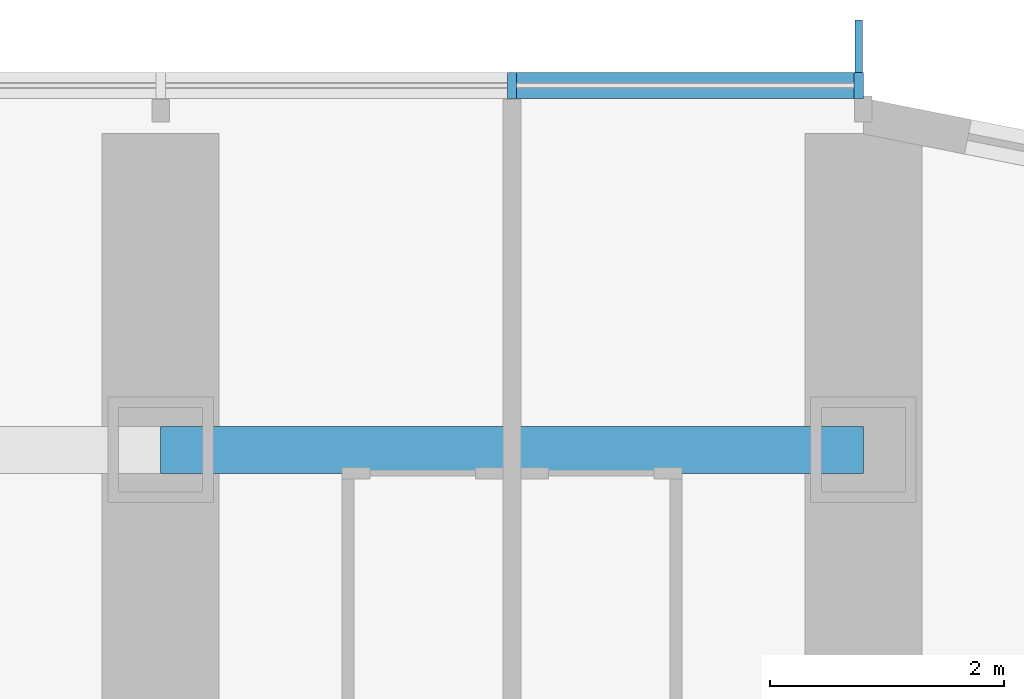
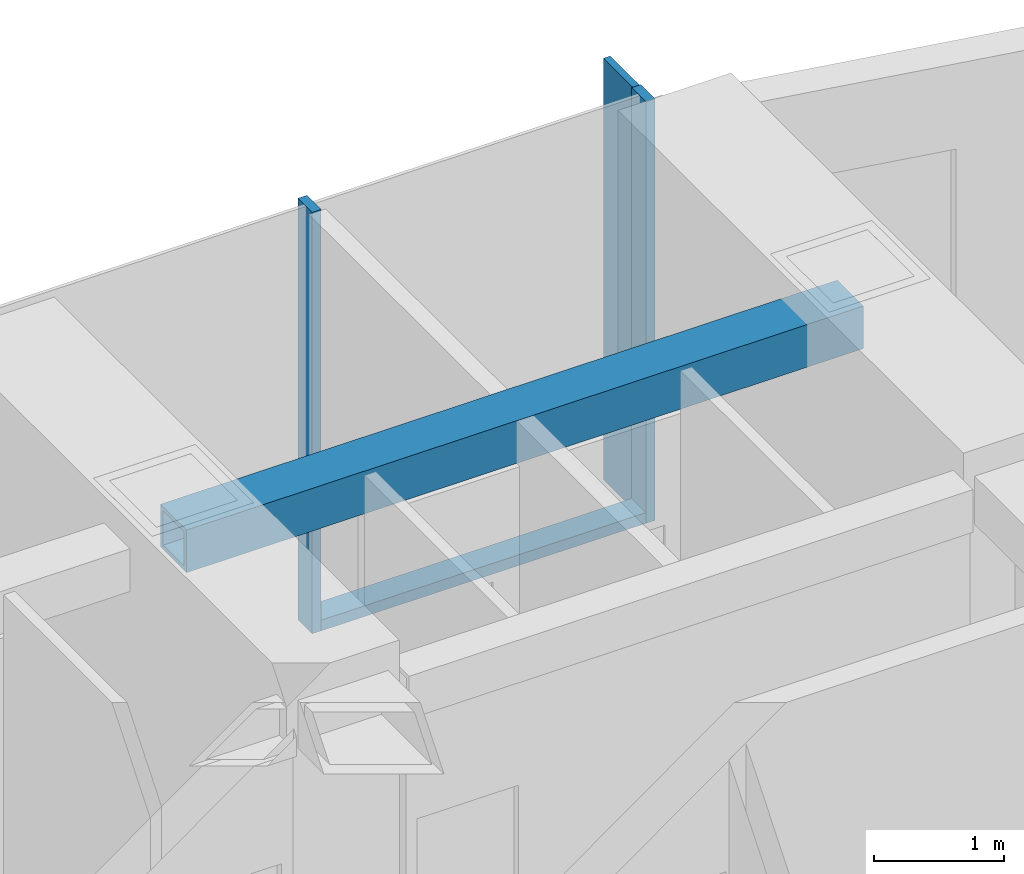
# One storey, part 9 of 28: 4 members, 1 beam, 1 element without a shape of its own.
"""IFC4 building model written with IfcOpenShell, lengths in metres."""

from ifc_helpers import new_model, si_unit, direction, frame, origin, origin_2d, place, context, subcontext, project, spatial, rectangle, hollow_rectangle, extrude, material, material_profile, profile_set, type_object, element, aggregate, save


model = new_model("IFC4")

# Units and contexts
model_context = context("Model", 3, precision=1e-05, world=origin(), true_north=direction((0.0, 1.0)))
body_context = subcontext(model_context, "Body", "Model", "MODEL_VIEW")
ifc_project = project(units=[si_unit("LENGTHUNIT", "METRE"), si_unit("AREAUNIT", "SQUARE_METRE"), si_unit("VOLUMEUNIT", "CUBIC_METRE"), si_unit("PLANEANGLEUNIT", "RADIAN"), si_unit("MASSUNIT", "GRAM", prefix="KILO")], contexts=[model_context])

# Site, building, storey
site_placement = place(None, origin())
site = spatial("IfcSite", under=ifc_project, at=site_placement, CompositionType="ELEMENT")
building_placement = place(site_placement, origin())
building = spatial("IfcBuilding", under=site, at=building_placement, Name="Orbita Commons", CompositionType="ELEMENT")
storey_placement = place(building_placement, frame((0.0, 0.0, 38.949951171875)))
storey = spatial("IfcBuildingStorey", under=building, at=storey_placement, Name="L09", CompositionType="ELEMENT", Elevation=38.949951171875)

# Curtain wall, members
ifc_material_1 = material(Name="Anodised aluminium frame, pale silver", Category="aluminium")
curtain_wall_type = type_object("IfcCurtainWallType", Name="Unitised curtain wall CW-T, vision and spandrel", PredefinedType="NOTDEFINED", material=ifc_material_1)
curtain_wall_placement = place(storey_placement, origin())
curtain_wall = element("IfcCurtainWall", 1, at=curtain_wall_placement, inside=storey, type_object=curtain_wall_type, Name="Curtain wall north L09", PredefinedType="NOTDEFINED")
ifc_material_2 = material(Name="Anodised aluminium, pale silver", Category="aluminium")
ifc_material_profile_1 = material_profile(ifc_material_2, rectangle(XDim=0.080078125, YDim=0.219970703125, at=origin_2d()), Name="AL 80x220")
ifc_profile_set_1 = profile_set([ifc_material_profile_1], Name="Anodised aluminium, pale silver")
member_type_1 = type_object("IfcMemberType", Name="Curtain wall mullion 80x220", PredefinedType="MULLION", material=ifc_profile_set_1)
member_1_placement = place(storey_placement, frame((71.9599609375, 56.7099609375, -0.449951171875), z_axis=(0.0, 0.0, 1.0), x_axis=(-1.0, 0.0, 0.0)))
member_1 = element("IfcMember", 2, at=member_1_placement, type_object=member_type_1, Name="Mullion 1 CW-L09-N", PredefinedType="MULLION", context=body_context, shape_type="SweptSolid", body=[
    extrude(rectangle(XDim=0.080078125, YDim=0.219970703125, at=origin_2d()), origin(), (0.0, 0.0, 1.0), 3.949951171875),
])
member_2_placement = place(storey_placement, frame((69.0, 56.7099609375, -0.449951171875), z_axis=(0.0, 0.0, 1.0), x_axis=(-1.0, 0.0, 0.0)))
member_2 = element("IfcMember", 3, at=member_2_placement, type_object=member_type_1, Name="Mullion 2 CW-L09-N", PredefinedType="MULLION", context=body_context, shape_type="SweptSolid", body=[
    extrude(rectangle(XDim=0.080078125, YDim=0.219970703125, at=origin_2d()), origin(), (0.0, 0.0, 1.0), 3.949951171875),
])
ifc_material_3 = material(Name="Anodised aluminium, pale silver", Category="aluminium")
ifc_material_profile_2 = material_profile(ifc_material_3, rectangle(XDim=0.219970703125, YDim=0.10009765625, at=origin_2d()), Name="AL 220x100")
ifc_profile_set_2 = profile_set([ifc_material_profile_2], Name="Anodised aluminium, pale silver")
member_type_2 = type_object("IfcMemberType", Name="Curtain wall stack transom 220x100", PredefinedType="USERDEFINED", material=ifc_profile_set_2)
member_3_placement = place(storey_placement, frame((71.919921875, 56.7099609375, -0.39990234375), z_axis=(-1.0, 0.0, 0.0), x_axis=(0.0, -1.0, 0.0)))
member_3 = element("IfcMember", 4, at=member_3_placement, type_object=member_type_2, Name="Transom 1.1 CW-L09-N", ObjectType="TRANSOM", PredefinedType="USERDEFINED", context=body_context, shape_type="SweptSolid", body=[
    extrude(rectangle(XDim=0.219970703125, YDim=0.10009765625, at=origin_2d()), origin(), (0.0, 0.0, 1.0), 2.8798828125),
])

# Beam
ifc_material_4 = material(Name="Steel ASTM A572 Gr 50 welded plate", Category="steel")
ifc_material_profile_3 = material_profile(ifc_material_4, hollow_rectangle(XDim=0.39990234375, YDim=0.39990234375, WallThickness=0.0400390625, at=origin_2d()), Name="BOX 400x400x40")
ifc_profile_set_3 = profile_set([ifc_material_profile_3], Name="Steel ASTM A572 Gr 50 welded plate")
beam_type = type_object("IfcBeamType", Name="Steel spandrel BOX 400x400x40", PredefinedType="SPANDREL", material=ifc_profile_set_3)
beam_placement = place(storey_placement, frame((66.0, 53.60009765625, 3.300048828125), z_axis=(1.0, 0.0, 0.0), x_axis=(0.0, 1.0, 0.0)))
element("IfcBeam", 5, at=beam_placement, inside=storey, type_object=beam_type, Name="Spandrel beam E 12-13 L09", PredefinedType="SPANDREL", context=body_context, shape_type="SweptSolid", body=[
    extrude(hollow_rectangle(XDim=0.39990234375, YDim=0.39990234375, WallThickness=0.0400390625, at=origin_2d()), origin(), (0.0, 0.0, 1.0), 6.0),
])

# Member
ifc_material_5 = material(Name="Anodised aluminium, pale silver", Category="aluminium")
ifc_material_profile_4 = material_profile(ifc_material_5, rectangle(XDim=0.06005859375, YDim=0.449951171875, at=origin_2d()), Name="FIN 60x450")
ifc_profile_set_4 = profile_set([ifc_material_profile_4], Name="Anodised aluminium, pale silver")
member_type_3 = type_object("IfcMemberType", Name="Vertical fin 60x450 pale aluminium", PredefinedType="USERDEFINED", material=ifc_profile_set_4)
member_4_placement = place(storey_placement, frame((71.9599609375, 57.044921875, -0.449951171875), z_axis=(0.0, 0.0, 1.0), x_axis=(-1.0, 0.0, 0.0)))
member_4 = element("IfcMember", 6, at=member_4_placement, type_object=member_type_3, Name="Fin 1 CW-L09-N", ObjectType="FIN", PredefinedType="USERDEFINED", context=body_context, shape_type="SweptSolid", body=[
    extrude(rectangle(XDim=0.06005859375, YDim=0.449951171875, at=origin_2d()), origin(), (0.0, 0.0, 1.0), 3.949951171875),
])

aggregate(curtain_wall, [member_1, member_4, member_2, member_3])

save(model, "model.ifc")
